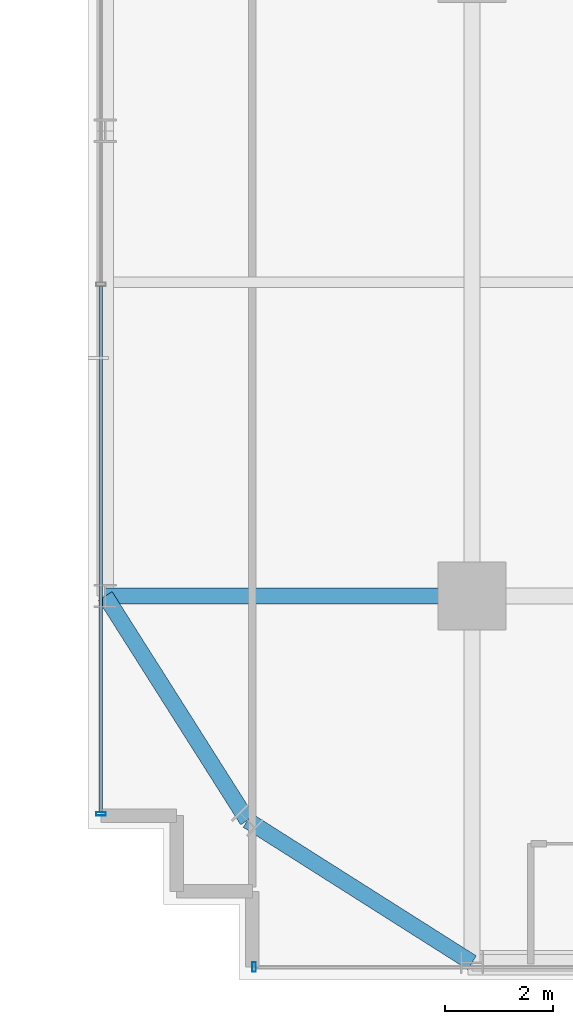
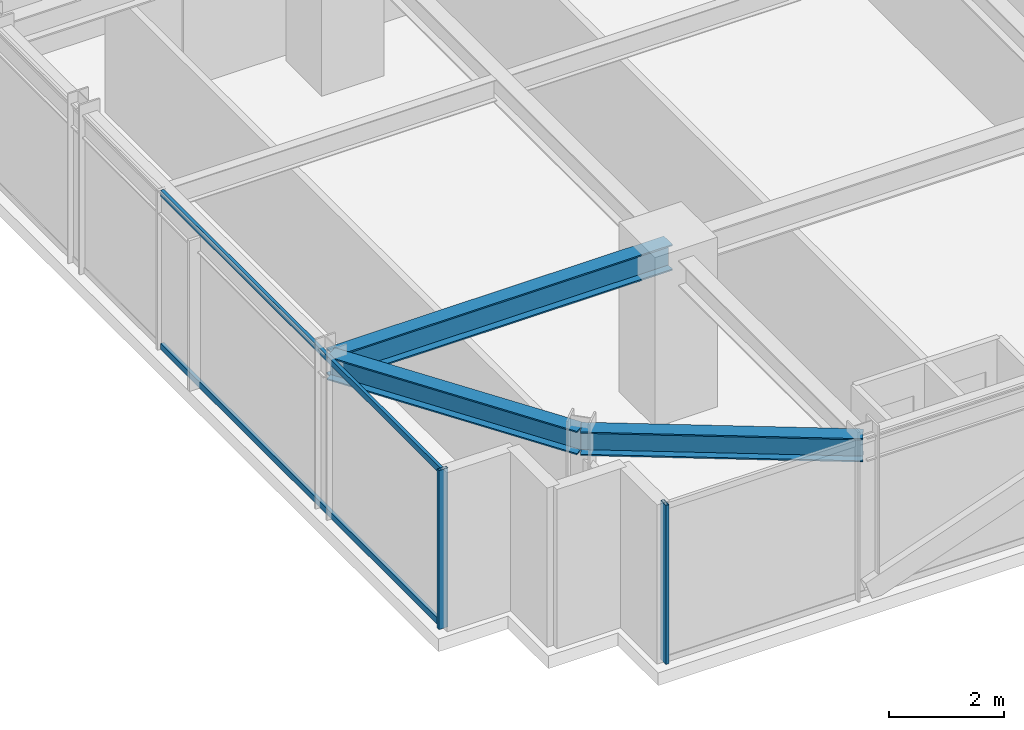
# One storey, part 2 of 35: 4 members, 3 beams, 2 elements without a shape of their own.
"""IFC4 building model written with IfcOpenShell, lengths in metres."""

from ifc_helpers import new_model, si_unit, direction, frame, origin, origin_2d, place, context, subcontext, project, spatial, hollow_rectangle, i_section, extrude, source, transform, mapped, material, material_profile, profile_set, type_object, element, aggregate, save


model = new_model("IFC4")

# Units and contexts
model_context = context("Model", 3, precision=1e-05, world=origin(), true_north=direction((0.0, 1.0)))
body_context = subcontext(model_context, "Body", "Model", "MODEL_VIEW")
ifc_project = project(units=[si_unit("LENGTHUNIT", "METRE"), si_unit("AREAUNIT", "SQUARE_METRE"), si_unit("VOLUMEUNIT", "CUBIC_METRE"), si_unit("PLANEANGLEUNIT", "RADIAN"), si_unit("MASSUNIT", "GRAM", prefix="KILO")], contexts=[model_context])

# Site, building, storey
site_placement = place(None, origin())
site = spatial("IfcSite", under=ifc_project, at=site_placement, CompositionType="ELEMENT")
building_placement = place(site_placement, origin())
building = spatial("IfcBuilding", under=site, at=building_placement, Name="Nahalor Promenade Grand Hotel", CompositionType="ELEMENT")
storey_placement = place(building_placement, frame((0.0, 0.0, 121.14990234375)))
storey = spatial("IfcBuildingStorey", under=building, at=storey_placement, Name="L30", CompositionType="ELEMENT", Elevation=121.14990234375)

# Beams
ifc_material_1 = material(Name="Steel S355JR", Category="steel")
ifc_material_profile_1 = material_profile(ifc_material_1, i_section(OverallWidth=0.3, OverallDepth=0.5, WebThickness=0.0145, FlangeThickness=0.028, at=origin_2d()), Name="HEB 500")
ifc_profile_set_1 = profile_set([ifc_material_profile_1], Name="Steel S355JR")
beam_type_1 = type_object("IfcBeamType", Name="Beam-Spandrel-HEB500", PredefinedType="SPANDREL", material=ifc_profile_set_1)
shared_shape_1 = source(origin(), body_context, "Body", "SweptSolid", [
    extrude(i_section(OverallWidth=0.3, OverallDepth=0.5, WebThickness=0.0145, FlangeThickness=0.028, at=origin_2d()), origin(), (0.0, 0.0, 1.0), 4.9130859375),
])
for number, where, z_axis, x_axis, name in (
    (1, (-17.0, -23.780029296875, 3.130126953125), (-0.844648325505, 0.535321591403, 0.0), (-0.535321591403, -0.844648325505, 0.0), "BM-L30-SPC-SW-1"),
    (2, (-21.14990234375, -21.14990234375, 3.130126953125), (-0.535321591403, 0.844648325505, 0.0), (-0.844648325505, -0.535321591403, 0.0), "BM-L30-SPC-SW-2"),
):
    element("IfcBeam", number, at=place(storey_placement, frame(where, z_axis=z_axis, x_axis=x_axis)), inside=storey, type_object=beam_type_1, Name=name, PredefinedType="SPANDREL", context=body_context, shape_type="MappedRepresentation", body=[
        mapped(shared_shape_1, transform((0.0, 0.0, 0.0), scale=1.0)),
    ])
ifc_material_profile_2 = material_profile(ifc_material_1, i_section(OverallWidth=0.3, OverallDepth=0.55, WebThickness=0.015, FlangeThickness=0.029, at=origin_2d()), Name="HEB 550")
ifc_profile_set_2 = profile_set([ifc_material_profile_2], Name="Steel S355JR")
beam_type_2 = type_object("IfcBeamType", Name="Beam-Girder-HEB550", PredefinedType="BEAM", material=ifc_profile_set_2)
shared_shape_2 = source(origin(), body_context, "Body", "SweptSolid", [
    extrude(i_section(OverallWidth=0.3, OverallDepth=0.55, WebThickness=0.015, FlangeThickness=0.029, at=origin_2d()), origin(), (0.0, 0.0, 1.0), 6.780029296875),
])
beam_placement = place(storey_placement, frame((-23.780029296875, -17.0, 3.10498046875), z_axis=(1.0, 0.0, 0.0), x_axis=(0.0, 1.0, 0.0)))
element("IfcBeam", 3, at=beam_placement, inside=storey, type_object=beam_type_2, Name="BM-L30-GX-0-0", PredefinedType="BEAM", context=body_context, shape_type="MappedRepresentation", body=[
    mapped(shared_shape_2, transform((0.0, 0.0, 0.0), scale=1.0)),
])

# Curtain wall, members
ifc_material_2 = material(Name="Anodised Bronze Aluminium EN AW-6063 T6", Category="aluminium")
curtain_wall_type = type_object("IfcCurtainWallType", Name="CW2 Typical Hotel Flush Bronze Unitised Curtain Wall", PredefinedType="USERDEFINED", material=ifc_material_2)
curtain_wall_1_placement = place(storey_placement, origin())
curtain_wall_1 = element("IfcCurtainWall", 4, at=curtain_wall_1_placement, inside=storey, type_object=curtain_wall_type, Name="L30 Curtain Wall CW-L30-W-1", ObjectType="UNITISED_CURTAIN_WALL", PredefinedType="USERDEFINED")
ifc_material_profile_3 = material_profile(ifc_material_2, hollow_rectangle(XDim=0.065, YDim=0.13, WallThickness=0.004, at=origin_2d()), Name="CWT 65x130x4")
ifc_profile_set_3 = profile_set([ifc_material_profile_3], Name="Anodised Bronze Aluminium EN AW-6063 T6")
member_type_1 = type_object("IfcMemberType", Name="CWT2 Typical Bronze Transom 65x130", PredefinedType="USERDEFINED", material=ifc_profile_set_3)
shared_shape_3 = source(origin(), body_context, "Body", "SweptSolid", [
    extrude(hollow_rectangle(XDim=0.065, YDim=0.13, WallThickness=0.004, at=origin_2d()), origin(), (0.0, 0.0, 1.0), 9.72265625),
])
member_1_placement = place(storey_placement, frame((-23.860107421875, -20.9951171875, 0.065185546875), z_axis=(0.0, 1.0, 0.0), x_axis=(-1.0, 0.0, 0.0)))
member_1 = element("IfcMember", 5, at=member_1_placement, type_object=member_type_1, Name="CW-L30-W-1 Transom 0-0", ObjectType="TRANSOM", PredefinedType="USERDEFINED", context=body_context, shape_type="MappedRepresentation", body=[
    mapped(shared_shape_3, transform((0.0, 0.0, 0.0), scale=1.0)),
])
member_2_placement = place(storey_placement, frame((-23.860107421875, -20.9951171875, 3.315185546875), z_axis=(0.0, 1.0, 0.0), x_axis=(-1.0, 0.0, 0.0)))
member_2 = element("IfcMember", 6, at=member_2_placement, type_object=member_type_1, Name="CW-L30-W-1 Transom 0-1", ObjectType="TRANSOM", PredefinedType="USERDEFINED", context=body_context, shape_type="MappedRepresentation", body=[
    mapped(shared_shape_3, transform((0.0, 0.0, 0.0), scale=1.0)),
])

# Curtain wall, member
curtain_wall_2_placement = place(storey_placement, origin())
curtain_wall_2 = element("IfcCurtainWall", 7, at=curtain_wall_2_placement, inside=storey, type_object=curtain_wall_type, Name="L30 Curtain Wall CW-L30-S-1", ObjectType="UNITISED_CURTAIN_WALL", PredefinedType="USERDEFINED")
ifc_material_profile_4 = material_profile(ifc_material_2, hollow_rectangle(XDim=0.065, YDim=0.18, WallThickness=0.004, at=origin_2d()), Name="CWM 65x180x4")
ifc_profile_set_4 = profile_set([ifc_material_profile_4], Name="Anodised Bronze Aluminium EN AW-6063 T6")
member_type_2 = type_object("IfcMemberType", Name="CWM2 Typical Bronze Mullion 65x180", PredefinedType="MULLION", material=ifc_profile_set_4)
shared_shape_4 = source(origin(), body_context, "Body", "SweptSolid", [
    extrude(hollow_rectangle(XDim=0.065, YDim=0.18, WallThickness=0.004, at=origin_2d()), origin(), (0.0, 0.0, 1.0), 3.380126953125),
])
member_3_placement = place(storey_placement, frame((-21.027587890625, -23.860107421875, 0.0), z_axis=(0.0, 0.0, 1.0), x_axis=(1.0, 0.0, 0.0)))
member_3 = element("IfcMember", 8, at=member_3_placement, type_object=member_type_2, Name="CW-L30-S-1 Mullion 0", PredefinedType="MULLION", context=body_context, shape_type="MappedRepresentation", body=[
    mapped(shared_shape_4, transform((0.0, 0.0, 0.0), scale=1.0)),
])
aggregate(curtain_wall_2, [member_3])

# Member
member_4_placement = place(storey_placement, frame((-23.860107421875, -21.027587890625, 0.0), z_axis=(0.0, 0.0, 1.0), x_axis=(0.0, 1.0, 0.0)))
member_4 = element("IfcMember", 9, at=member_4_placement, type_object=member_type_2, Name="CW-L30-W-1 Mullion 0", PredefinedType="MULLION", context=body_context, shape_type="MappedRepresentation", body=[
    mapped(shared_shape_4, transform((0.0, 0.0, 0.0), scale=1.0)),
])

aggregate(curtain_wall_1, [member_4, member_1, member_2])

save(model, "model.ifc")
